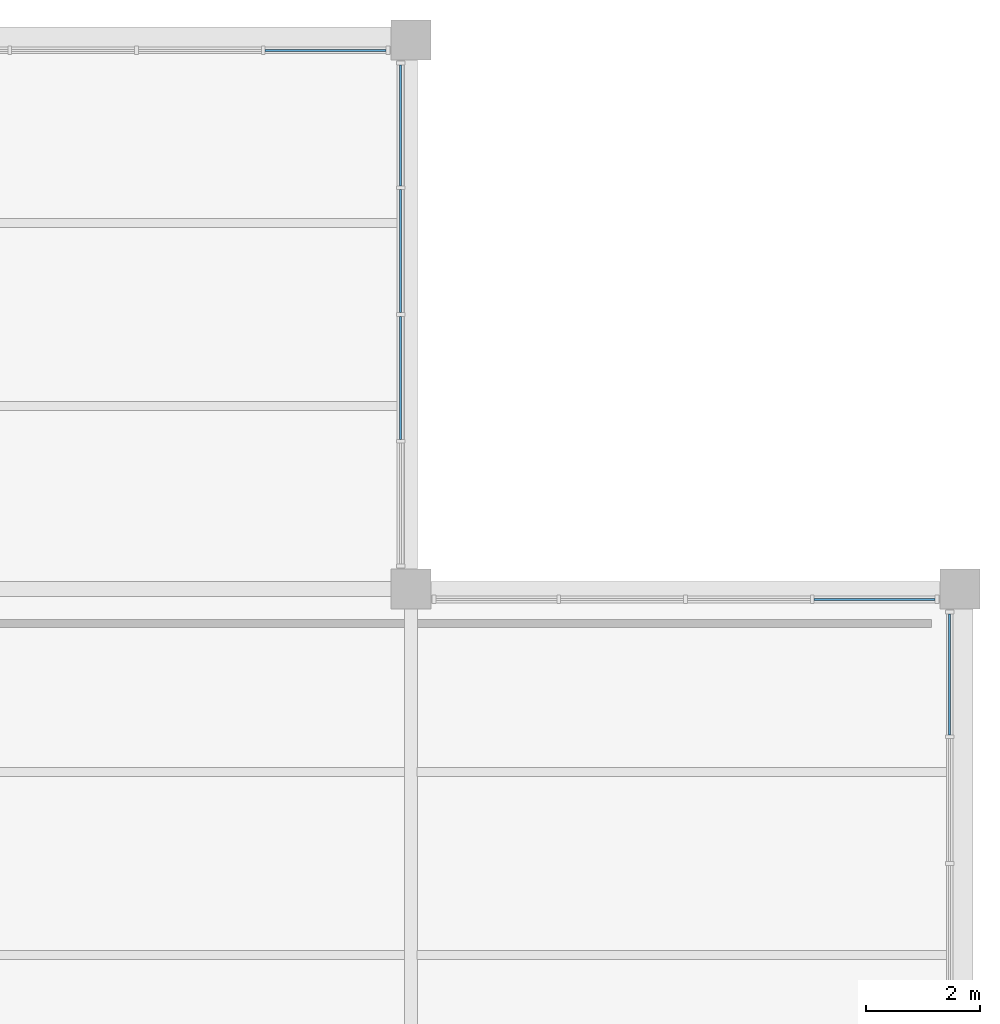
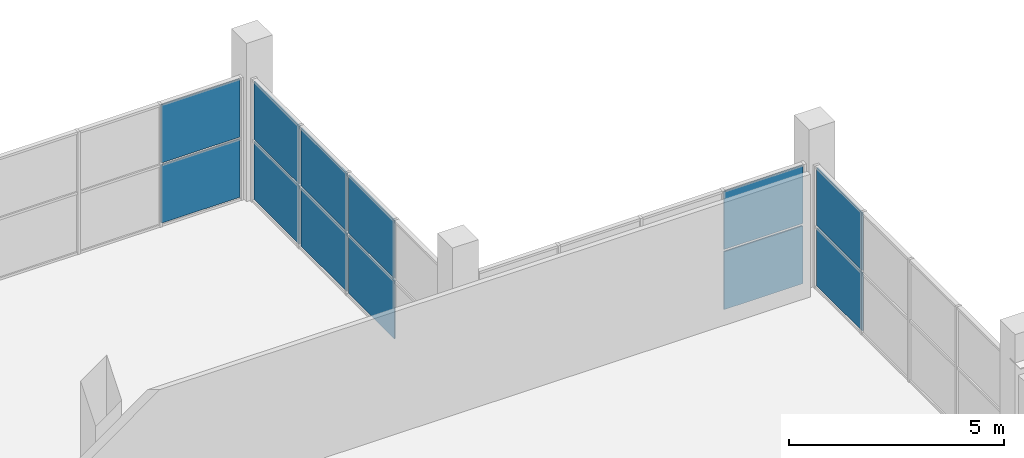
# One storey, part 43 of 75: 12 plates, 4 elements without a shape of their own.
"""IFC4 building model written with IfcOpenShell, lengths in metres."""

from ifc_helpers import new_model, si_unit, direction, frame, origin, origin_2d, place, context, subcontext, project, spatial, rectangle, extrude, material, layer, layer_set, type_object, element, aggregate, save


model = new_model("IFC4")

# Units and contexts
model_context = context("Model", 3, precision=1e-05, world=origin(), true_north=direction((0.0, 1.0)))
body_context = subcontext(model_context, "Body", "Model", "MODEL_VIEW")
ifc_project = project(units=[si_unit("LENGTHUNIT", "METRE"), si_unit("AREAUNIT", "SQUARE_METRE"), si_unit("VOLUMEUNIT", "CUBIC_METRE"), si_unit("PLANEANGLEUNIT", "RADIAN"), si_unit("MASSUNIT", "GRAM", prefix="KILO")], contexts=[model_context])

# Site, building, storey
site_placement = place(None, origin())
site = spatial("IfcSite", under=ifc_project, at=site_placement, CompositionType="ELEMENT")
building_placement = place(site_placement, origin())
building = spatial("IfcBuilding", under=site, at=building_placement, Name="Caelomonte Colonnade Arena", CompositionType="ELEMENT")
storey_placement = place(building_placement, frame((0.0, 0.0, 14.10009765625)))
storey = spatial("IfcBuildingStorey", under=building, at=storey_placement, Name="L03", CompositionType="ELEMENT", Elevation=14.10009765625)

# Curtain wall, plates
ifc_material_1 = material(Name="Bronze anodised aluminium and low-E glazing", Category="aluminium")
ifc_layer_1 = layer(ifc_material_1, 0.179931640625)
ifc_layer_set_1 = layer_set([ifc_layer_1], Name="Bronze anodised aluminium and low-E glazing")
curtain_wall_type = type_object("IfcCurtainWallType", Name="ENV-CW-CW-L03-96-35", PredefinedType="USERDEFINED", material=ifc_layer_set_1)
curtain_wall_1_placement = place(storey_placement, origin())
curtain_wall_1 = element("IfcCurtainWall", 1, at=curtain_wall_1_placement, inside=storey, type_object=curtain_wall_type, Name="L03 unitized curtain wall CW-L03-1918-1296", ObjectType="UNITIZED CURTAIN WALL", PredefinedType="USERDEFINED")
ifc_material_2 = material(Name="Solar-control bronze low-E double glazing", Category="glass")
ifc_layer_2 = layer(ifc_material_2, 0.035888671875)
ifc_layer_set_2 = layer_set([ifc_layer_2], Name="Solar-control bronze low-E double glazing")
plate_type = type_object("IfcPlateType", Name="ENV-CW-PAN36", PredefinedType="CURTAIN_PANEL", material=ifc_layer_set_2)
plate_1_placement = place(storey_placement, frame((191.820068359375, 132.90625, 0.06494140625), z_axis=(0.0, 0.0, 1.0), x_axis=(0.0, 1.0, 0.0)))
plate_1 = element("IfcPlate", 2, at=plate_1_placement, type_object=plate_type, Name="CW-L03-96-35 panel 4.1", PredefinedType="CURTAIN_PANEL", context=body_context, shape_type="SweptSolid", body=[
    extrude(rectangle(XDim=2.117431640625, YDim=0.035888671875, at=origin_2d()), origin(), (0.0, 0.0, 1.0), 1.6474609375),
])
plate_2_placement = place(storey_placement, frame((191.820068359375, 132.90625, 1.77734375), z_axis=(0.0, 0.0, 1.0), x_axis=(0.0, 1.0, 0.0)))
plate_2 = element("IfcPlate", 3, at=plate_2_placement, type_object=plate_type, Name="CW-L03-96-35 panel 4.2", PredefinedType="CURTAIN_PANEL", context=body_context, shape_type="SweptSolid", body=[
    extrude(rectangle(XDim=2.117431640625, YDim=0.035888671875, at=origin_2d()), origin(), (0.0, 0.0, 1.0), 1.6474609375),
])
aggregate(curtain_wall_1, [plate_1, plate_2])

curtain_wall_2_placement = place(storey_placement, origin())
curtain_wall_2 = element("IfcCurtainWall", 4, at=curtain_wall_2_placement, inside=storey, type_object=curtain_wall_type, Name="L03 unitized curtain wall CW-L03-1872-1342", ObjectType="UNITIZED CURTAIN WALL", PredefinedType="USERDEFINED")
plate_3_placement = place(storey_placement, frame((190.50634765625, 134.219970703125, 0.06494140625), z_axis=(0.0, 0.0, 1.0), x_axis=(-1.0, 0.0, 0.0)))
plate_3 = element("IfcPlate", 5, at=plate_3_placement, type_object=plate_type, Name="CW-L03-96-35 panel 1.1", PredefinedType="CURTAIN_PANEL", context=body_context, shape_type="SweptSolid", body=[
    extrude(rectangle(XDim=2.117431640625, YDim=0.035888671875, at=origin_2d()), origin(), (0.0, 0.0, 1.0), 1.6474609375),
])
plate_4_placement = place(storey_placement, frame((190.50634765625, 134.219970703125, 1.77734375), z_axis=(0.0, 0.0, 1.0), x_axis=(-1.0, 0.0, 0.0)))
plate_4 = element("IfcPlate", 6, at=plate_4_placement, type_object=plate_type, Name="CW-L03-96-35 panel 1.2", PredefinedType="CURTAIN_PANEL", context=body_context, shape_type="SweptSolid", body=[
    extrude(rectangle(XDim=2.117431640625, YDim=0.035888671875, at=origin_2d()), origin(), (0.0, 0.0, 1.0), 1.6474609375),
])
aggregate(curtain_wall_2, [plate_3, plate_4])

curtain_wall_3_placement = place(storey_placement, origin())
curtain_wall_3 = element("IfcCurtainWall", 7, at=curtain_wall_3_placement, inside=storey, type_object=curtain_wall_type, Name="L03 unitized curtain wall CW-L03-1822-1392", ObjectType="UNITIZED CURTAIN WALL", PredefinedType="USERDEFINED")
plate_5_placement = place(storey_placement, frame((182.219970703125, 138.092529296875, 0.06494140625), z_axis=(0.0, 0.0, 1.0), x_axis=(0.0, 1.0, 0.0)))
plate_5 = element("IfcPlate", 8, at=plate_5_placement, type_object=plate_type, Name="CW-L03-96-35 panel 2.1", PredefinedType="CURTAIN_PANEL", context=body_context, shape_type="SweptSolid", body=[
    extrude(rectangle(XDim=2.14990234375, YDim=0.035888671875, at=origin_2d()), origin(), (0.0, 0.0, 1.0), 1.6474609375),
])
plate_6_placement = place(storey_placement, frame((182.219970703125, 138.092529296875, 1.77734375), z_axis=(0.0, 0.0, 1.0), x_axis=(0.0, 1.0, 0.0)))
plate_6 = element("IfcPlate", 9, at=plate_6_placement, type_object=plate_type, Name="CW-L03-96-35 panel 2.2", PredefinedType="CURTAIN_PANEL", context=body_context, shape_type="SweptSolid", body=[
    extrude(rectangle(XDim=2.14990234375, YDim=0.035888671875, at=origin_2d()), origin(), (0.0, 0.0, 1.0), 1.6474609375),
])
plate_7_placement = place(storey_placement, frame((182.219970703125, 140.3076171875, 0.06494140625), z_axis=(0.0, 0.0, 1.0), x_axis=(0.0, 1.0, 0.0)))
plate_7 = element("IfcPlate", 10, at=plate_7_placement, type_object=plate_type, Name="CW-L03-96-35 panel 3.1", PredefinedType="CURTAIN_PANEL", context=body_context, shape_type="SweptSolid", body=[
    extrude(rectangle(XDim=2.14990234375, YDim=0.035888671875, at=origin_2d()), origin(), (0.0, 0.0, 1.0), 1.6474609375),
])
plate_8_placement = place(storey_placement, frame((182.219970703125, 140.3076171875, 1.77734375), z_axis=(0.0, 0.0, 1.0), x_axis=(0.0, 1.0, 0.0)))
plate_8 = element("IfcPlate", 11, at=plate_8_placement, type_object=plate_type, Name="CW-L03-96-35 panel 3.2", PredefinedType="CURTAIN_PANEL", context=body_context, shape_type="SweptSolid", body=[
    extrude(rectangle(XDim=2.14990234375, YDim=0.035888671875, at=origin_2d()), origin(), (0.0, 0.0, 1.0), 1.6474609375),
])
plate_9_placement = place(storey_placement, frame((182.219970703125, 142.50634765625, 0.06494140625), z_axis=(0.0, 0.0, 1.0), x_axis=(0.0, 1.0, 0.0)))
plate_9 = element("IfcPlate", 12, at=plate_9_placement, type_object=plate_type, Name="CW-L03-96-35 panel 4.1", PredefinedType="CURTAIN_PANEL", context=body_context, shape_type="SweptSolid", body=[
    extrude(rectangle(XDim=2.117431640625, YDim=0.035888671875, at=origin_2d()), origin(), (0.0, 0.0, 1.0), 1.6474609375),
])
plate_10_placement = place(storey_placement, frame((182.219970703125, 142.50634765625, 1.77734375), z_axis=(0.0, 0.0, 1.0), x_axis=(0.0, 1.0, 0.0)))
plate_10 = element("IfcPlate", 13, at=plate_10_placement, type_object=plate_type, Name="CW-L03-96-35 panel 4.2", PredefinedType="CURTAIN_PANEL", context=body_context, shape_type="SweptSolid", body=[
    extrude(rectangle(XDim=2.117431640625, YDim=0.035888671875, at=origin_2d()), origin(), (0.0, 0.0, 1.0), 1.6474609375),
])
aggregate(curtain_wall_3, [plate_5, plate_6, plate_7, plate_8, plate_9, plate_10])

curtain_wall_4_placement = place(storey_placement, origin())
curtain_wall_4 = element("IfcCurtainWall", 14, at=curtain_wall_4_placement, inside=storey, type_object=curtain_wall_type, Name="L03 unitized curtain wall CW-L03-1776-1438", ObjectType="UNITIZED CURTAIN WALL", PredefinedType="USERDEFINED")
plate_11_placement = place(storey_placement, frame((180.90625, 143.820068359375, 0.06494140625), z_axis=(0.0, 0.0, 1.0), x_axis=(-1.0, 0.0, 0.0)))
plate_11 = element("IfcPlate", 15, at=plate_11_placement, type_object=plate_type, Name="CW-L03-96-35 panel 1.1", PredefinedType="CURTAIN_PANEL", context=body_context, shape_type="SweptSolid", body=[
    extrude(rectangle(XDim=2.117431640625, YDim=0.035888671875, at=origin_2d()), origin(), (0.0, 0.0, 1.0), 1.6474609375),
])
plate_12_placement = place(storey_placement, frame((180.90625, 143.820068359375, 1.77734375), z_axis=(0.0, 0.0, 1.0), x_axis=(-1.0, 0.0, 0.0)))
plate_12 = element("IfcPlate", 16, at=plate_12_placement, type_object=plate_type, Name="CW-L03-96-35 panel 1.2", PredefinedType="CURTAIN_PANEL", context=body_context, shape_type="SweptSolid", body=[
    extrude(rectangle(XDim=2.117431640625, YDim=0.035888671875, at=origin_2d()), origin(), (0.0, 0.0, 1.0), 1.6474609375),
])
aggregate(curtain_wall_4, [plate_11, plate_12])

save(model, "model.ifc")
